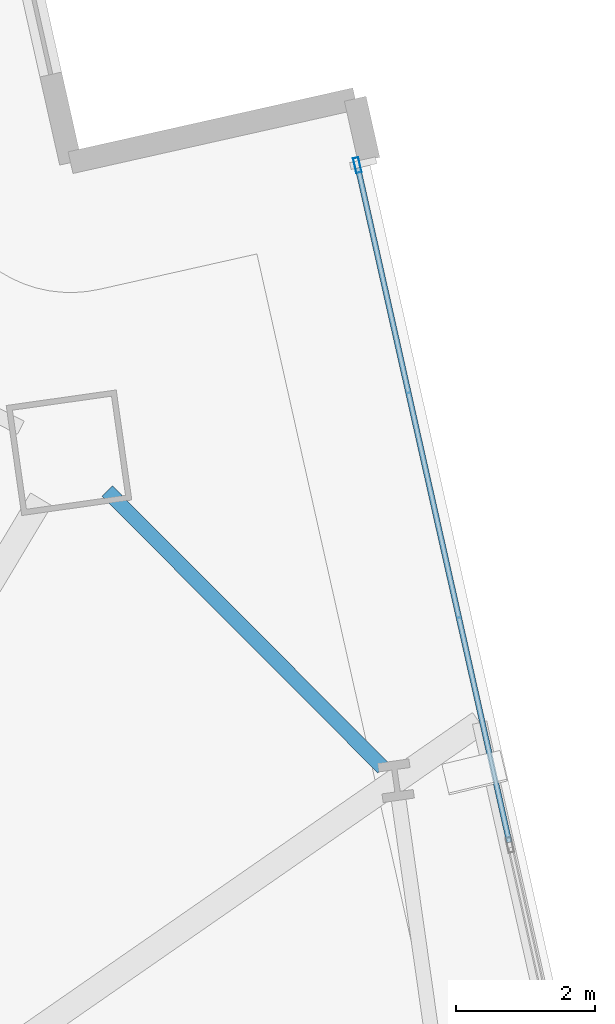
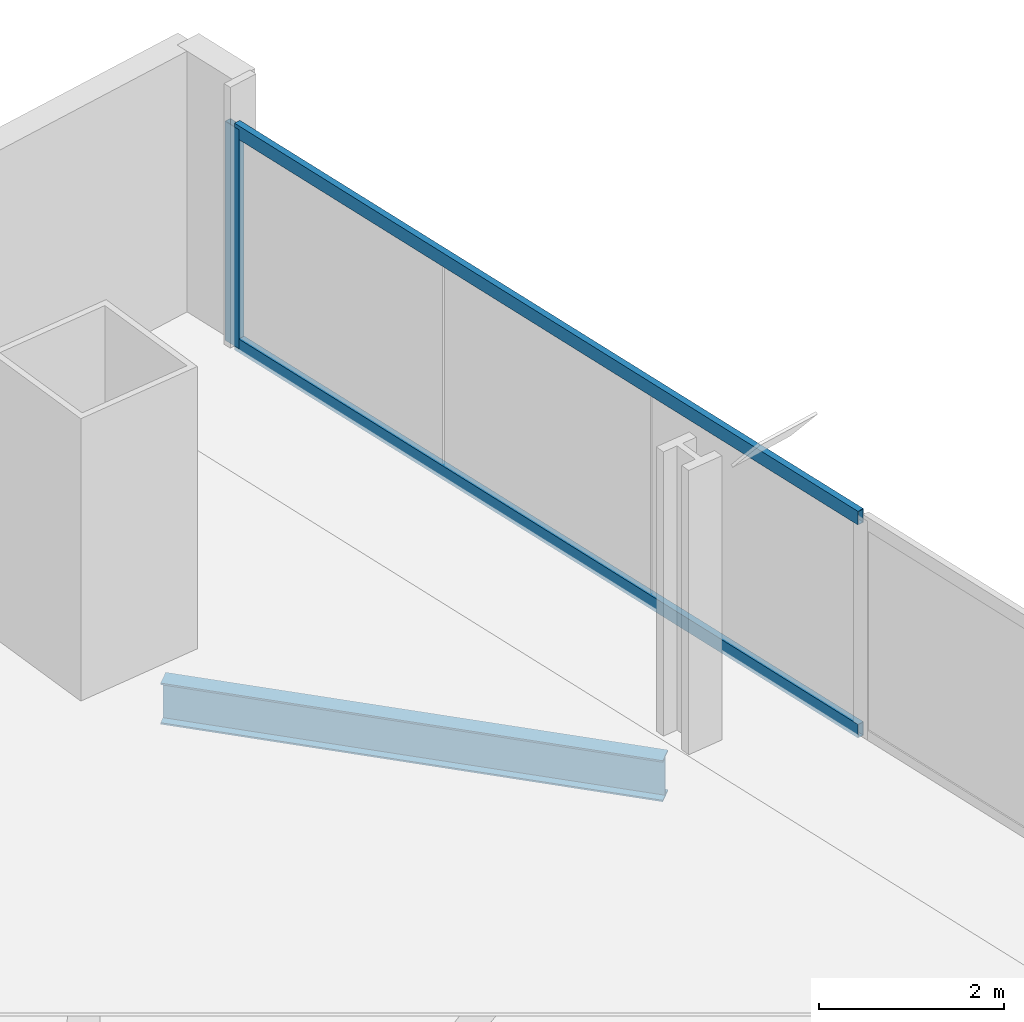
# One storey, part 22 of 32: 3 members, 1 beam, 1 element without a shape of its own.
"""IFC4 building model written with IfcOpenShell, lengths in metres."""

from ifc_helpers import new_model, si_unit, direction, frame, origin, origin_2d, place, context, subcontext, project, spatial, hollow_rectangle, i_section, extrude, material, material_profile, profile_set, type_object, element, aggregate, save


model = new_model("IFC4")

# Units and contexts
model_context = context("Model", 3, precision=1e-05, world=origin(), true_north=direction((0.0, 1.0)))
body_context = subcontext(model_context, "Body", "Model", "MODEL_VIEW")
ifc_project = project(units=[si_unit("LENGTHUNIT", "METRE"), si_unit("AREAUNIT", "SQUARE_METRE"), si_unit("VOLUMEUNIT", "CUBIC_METRE"), si_unit("PLANEANGLEUNIT", "RADIAN"), si_unit("MASSUNIT", "GRAM", prefix="KILO")], contexts=[model_context])

# Site, building, storey
site_placement = place(None, origin())
site = spatial("IfcSite", under=ifc_project, at=site_placement, CompositionType="ELEMENT")
building_placement = place(site_placement, origin())
building = spatial("IfcBuilding", under=site, at=building_placement, Name="Haldenkirk Collegiate Tower", CompositionType="ELEMENT")
storey_placement = place(building_placement, frame((0.0, 0.0, 70.199951171875)))
storey = spatial("IfcBuildingStorey", under=building, at=storey_placement, Name="L16", CompositionType="ELEMENT", Elevation=70.199951171875)

# Beam
ifc_material_1 = material(Name="Steel ASTM A992 Grade 50", Category="steel")
ifc_material_profile_1 = material_profile(ifc_material_1, i_section(OverallWidth=0.2119140625, OverallDepth=0.5439453125, WebThickness=0.01318359375, FlangeThickness=0.021240234375, at=origin_2d()), Name="W21X83")
ifc_profile_set_1 = profile_set([ifc_material_profile_1], Name="Steel ASTM A992 Grade 50")
beam_type = type_object("IfcBeamType", Name="BM-SPANDREL-W21X83", PredefinedType="SPANDREL", material=ifc_profile_set_1)
beam_placement = place(storey_placement, frame((57.70556640625, 43.135986328125, -0.58203125), z_axis=(-0.706085689957, 0.708126400043, 0.0), x_axis=(-0.708126400043, -0.706085689957, 0.0)))
element("IfcBeam", 1, at=beam_placement, inside=storey, type_object=beam_type, Name="L16 perimeter spandrel beam 08", PredefinedType="SPANDREL", context=body_context, shape_type="SweptSolid", body=[
    extrude(i_section(OverallWidth=0.2119140625, OverallDepth=0.5439453125, WebThickness=0.01318359375, FlangeThickness=0.021240234375, at=origin_2d()), origin(), (0.0, 0.0, 1.0), 5.622802734375),
])

# Curtain wall, members
ifc_material_2 = material(Name="Anodised architectural bronze aluminium", Category="aluminium")
curtain_wall_type = type_object("IfcCurtainWallType", Name="CW-SYS1-CONVEX-LOW", PredefinedType="USERDEFINED", material=ifc_material_2)
curtain_wall_placement = place(storey_placement, origin())
curtain_wall = element("IfcCurtainWall", 2, at=curtain_wall_placement, inside=storey, type_object=curtain_wall_type, Name="L16 Lower tower convex bronze-framed unitised curtain wall", ObjectType="UNITISED CURTAIN WALL", PredefinedType="USERDEFINED")
ifc_material_profile_2 = material_profile(ifc_material_2, hollow_rectangle(XDim=0.080078125, YDim=0.219970703125, WallThickness=0.0048828125, at=origin_2d()), Name="CW-MUL-1A")
ifc_profile_set_2 = profile_set([ifc_material_profile_2], Name="Anodised architectural bronze aluminium")
member_type_1 = type_object("IfcMemberType", Name="CW-MUL-1A", PredefinedType="MULLION", material=ifc_profile_set_2)
member_1_placement = place(storey_placement, frame((57.3359375, 51.808837890625, 0.0), z_axis=(0.0, 0.0, 1.0), x_axis=(0.975725911178, 0.218995311037, 0.0)))
member_1 = element("IfcMember", 3, at=member_1_placement, type_object=member_type_1, Name="CW-1A mullion 1", PredefinedType="MULLION", context=body_context, shape_type="SweptSolid", body=[
    extrude(hollow_rectangle(XDim=0.080078125, YDim=0.219970703125, WallThickness=0.0048828125, at=origin_2d()), origin(), (0.0, 0.0, 1.0), 2.89111328125),
])
ifc_material_profile_3 = material_profile(ifc_material_2, hollow_rectangle(XDim=0.080078125, YDim=0.179931640625, WallThickness=0.0048828125, at=origin_2d()), Name="CW-TRN-1A")
ifc_profile_set_3 = profile_set([ifc_material_profile_3], Name="Anodised architectural bronze aluminium")
member_type_2 = type_object("IfcMemberType", Name="CW-TRN-1A", PredefinedType="USERDEFINED", material=ifc_profile_set_3)
member_2_placement = place(storey_placement, frame((57.3447265625, 51.769775390625, 0.0400390625), z_axis=(0.218998291299, -0.975725242273, 0.0), x_axis=(0.975725242273, 0.218998291299, 0.0)))
member_2 = element("IfcMember", 4, at=member_2_placement, type_object=member_type_2, Name="CW-1A transom 1.1", ObjectType="TRANSOM", PredefinedType="USERDEFINED", context=body_context, shape_type="SweptSolid", body=[
    extrude(hollow_rectangle(XDim=0.080078125, YDim=0.179931640625, WallThickness=0.0048828125, at=origin_2d()), origin(), (0.0, 0.0, 1.0), 9.948486328125),
])
member_3_placement = place(storey_placement, frame((57.3447265625, 51.769775390625, 2.85107421875), z_axis=(0.218998291299, -0.975725242273, 0.0), x_axis=(0.975725242273, 0.218998291299, 0.0)))
member_3 = element("IfcMember", 5, at=member_3_placement, type_object=member_type_2, Name="CW-1A transom 1.2", ObjectType="TRANSOM", PredefinedType="USERDEFINED", context=body_context, shape_type="SweptSolid", body=[
    extrude(hollow_rectangle(XDim=0.080078125, YDim=0.179931640625, WallThickness=0.0048828125, at=origin_2d()), origin(), (0.0, 0.0, 1.0), 9.948486328125),
])
aggregate(curtain_wall, [member_1, member_2, member_3])

save(model, "model.ifc")
